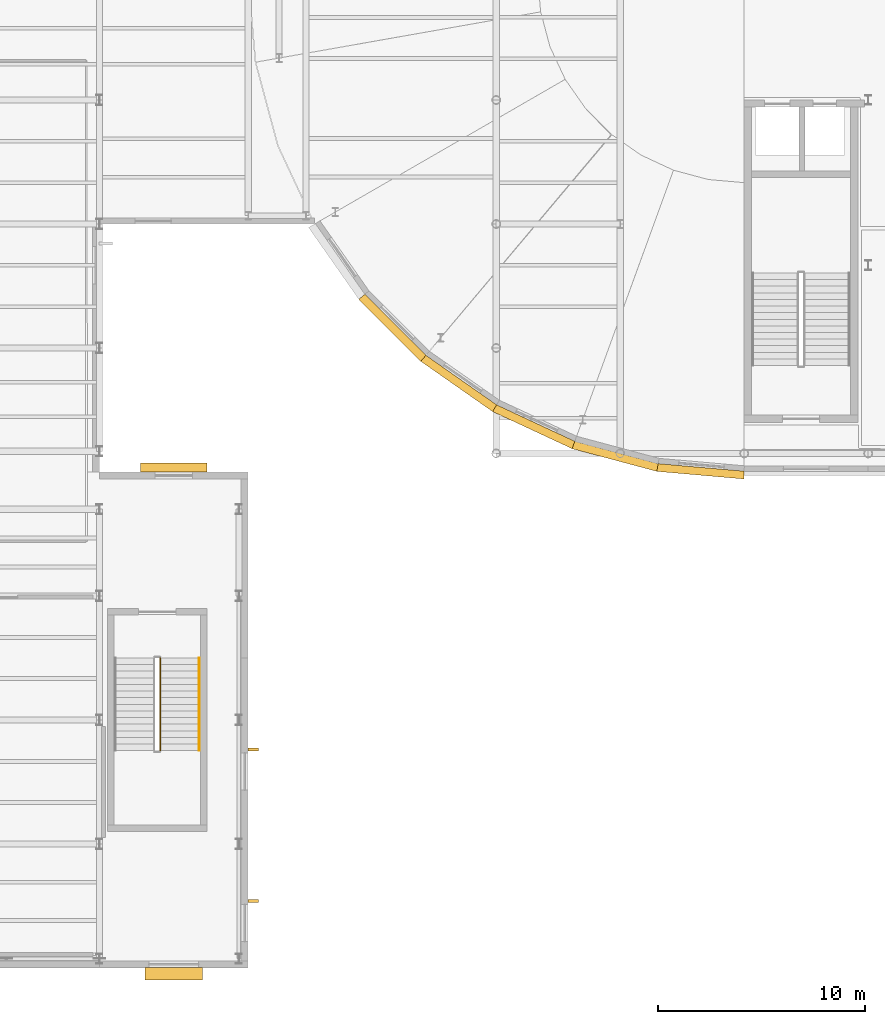
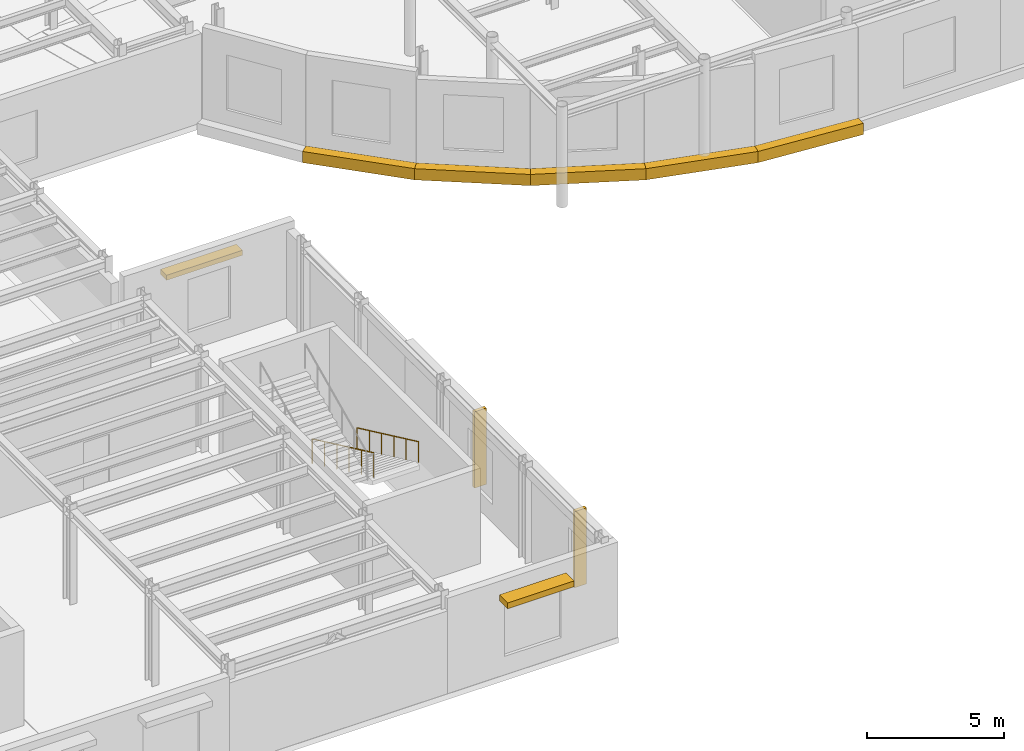
# One storey, part 74 of 91: 5 coverings, 4 shading devices, 2 railings, 1 element without a shape of its own.
"""IFC4 building model written with IfcOpenShell, lengths in metres."""

from ifc_helpers import new_model, si_unit, direction, frame, origin, origin_2d, place, context, subcontext, project, spatial, polyline, rectangle, circle, outline, extrude, material, layer, layer_set, type_object, element, aggregate, save


model = new_model("IFC4")

# Units and contexts
model_context = context("Model", 3, precision=1e-05, world=origin(), true_north=direction((0.0, 1.0)))
body_context = subcontext(model_context, "Body", "Model", "MODEL_VIEW")
ifc_project = project(units=[si_unit("LENGTHUNIT", "METRE"), si_unit("AREAUNIT", "SQUARE_METRE"), si_unit("VOLUMEUNIT", "CUBIC_METRE"), si_unit("PLANEANGLEUNIT", "RADIAN"), si_unit("MASSUNIT", "GRAM", prefix="KILO")], contexts=[model_context])

# Site, building, storey
site_placement = place(None, origin())
site = spatial("IfcSite", under=ifc_project, at=site_placement, CompositionType="ELEMENT")
building_placement = place(site_placement, origin())
building = spatial("IfcBuilding", under=site, at=building_placement, Name="Kolvaren Corner Interchange", CompositionType="ELEMENT")
storey_placement = place(building_placement, frame((0.0, 0.0, 6.0)))
storey = spatial("IfcBuildingStorey", under=building, at=storey_placement, Name="L02", CompositionType="ELEMENT", Elevation=6.0)

# Coverings
ifc_material_1 = material(Name="Glazed White Terracotta Fascia Cladding", Category="masonry")
ifc_layer = layer(ifc_material_1, 0.0400390625)
ifc_layer_set = layer_set([ifc_layer], Name="Glazed White Terracotta Fascia Cladding")
covering_type = type_object("IfcCoveringType", Name="COV-WHT-CLAD40", PredefinedType="CLADDING", material=ifc_layer_set)
covering_1_placement = place(storey_placement, frame((0.0, 0.0, -0.320068359375)))
element("IfcCovering", 1, at=covering_1_placement, inside=storey, type_object=covering_type, Name="Racetrack West L02 Sweeping White Edge Band 14", PredefinedType="CLADDING", context=body_context, shape_type="SweptSolid", body=[
    extrude(outline(polyline([(41.6455078125, 32.598876953125), (41.3544921875, 32.3544921875), (44.3544921875, 29.3544921875), (44.598876953125, 29.6455078125), (41.6455078125, 32.598876953125)])), origin(), (0.0, 0.0, 1.0), 0.5),
])
covering_2_placement = place(storey_placement, frame((0.0, 0.0, -0.320068359375)))
element("IfcCovering", 2, at=covering_2_placement, inside=storey, type_object=covering_type, Name="Racetrack West L02 Sweeping White Edge Band 15", PredefinedType="CLADDING", context=body_context, shape_type="SweptSolid", body=[
    extrude(outline(polyline([(44.598876953125, 29.6455078125), (44.3544921875, 29.3544921875), (47.830078125, 26.9208984375), (48.02001953125, 27.25), (44.598876953125, 29.6455078125)])), origin(), (0.0, 0.0, 1.0), 0.5),
])
covering_3_placement = place(storey_placement, frame((0.0, 0.0, -0.320068359375)))
element("IfcCovering", 3, at=covering_3_placement, inside=storey, type_object=covering_type, Name="Racetrack West L02 Sweeping White Edge Band 16", PredefinedType="CLADDING", context=body_context, shape_type="SweptSolid", body=[
    extrude(outline(polyline([(48.02001953125, 27.25), (47.830078125, 26.9208984375), (51.67529296875, 25.1279296875), (51.80517578125, 25.485107421875), (48.02001953125, 27.25)])), origin(), (0.0, 0.0, 1.0), 0.5),
])
covering_4_placement = place(storey_placement, frame((0.0, 0.0, -0.320068359375)))
element("IfcCovering", 4, at=covering_4_placement, inside=storey, type_object=covering_type, Name="Racetrack West L02 Sweeping White Edge Band 17", PredefinedType="CLADDING", context=body_context, shape_type="SweptSolid", body=[
    extrude(outline(polyline([(51.80517578125, 25.485107421875), (51.67529296875, 25.1279296875), (55.7734375, 24.02978515625), (55.83935546875, 24.404052734375), (51.80517578125, 25.485107421875)])), origin(), (0.0, 0.0, 1.0), 0.5),
])
covering_5_placement = place(storey_placement, frame((0.0, 0.0, -0.320068359375)))
element("IfcCovering", 5, at=covering_5_placement, inside=storey, type_object=covering_type, Name="Racetrack West L02 Sweeping White Edge Band 18", PredefinedType="CLADDING", context=body_context, shape_type="SweptSolid", body=[
    extrude(outline(polyline([(55.83935546875, 24.404052734375), (55.7734375, 24.02978515625), (60.0, 23.659912109375), (60.0, 24.0400390625), (55.83935546875, 24.404052734375)])), origin(), (0.0, 0.0, 1.0), 0.5),
])

# Stair, railings
ifc_material_2 = material(Name="Concrete C35/45", Category="concrete")
stair_type = type_object("IfcStairType", Name="ST-GL-2000", PredefinedType="HALF_TURN_STAIR", material=ifc_material_2)
stair_placement = place(storey_placement, origin())
stair = element("IfcStair", 6, at=stair_placement, inside=storey, type_object=stair_type, Name="Operations South Bar Protected Exit Stair L02 to L03 Stair", PredefinedType="HALF_TURN_STAIR")
ifc_material_3 = material(Name="Powder-Coated Steel Stairwell Guardrail", Category="steel")
railing_type_1 = type_object("IfcRailingType", Name="RLT-STAIR-GRD1120", PredefinedType="GUARDRAIL", material=ifc_material_3)
railing_1_placement = place(storey_placement, frame((31.75, 15.0, 0.14990234375)))
railing_1 = element("IfcRailing", 7, at=railing_1_placement, type_object=railing_type_1, Name="Operations South Bar Protected Exit Stair L02 Lower Flight Well Guardrail", PredefinedType="GUARDRAIL", context=body_context, shape_type="SweptSolid", body=[
    extrude(circle(Radius=0.02392578125, at=origin_2d()), frame((0.0, 0.0, 1.09619140625), z_axis=(0.0, -0.905450639465, 0.424451574969), x_axis=(1.0, 0.0, 0.0)), (0.0, 0.0, 1.0), 4.94775390625),
    extrude(circle(Radius=0.02001953125, at=origin_2d()), origin(), (0.0, 0.0, 1.0), 1.072021484375),
    extrude(circle(Radius=0.02001953125, at=origin_2d()), frame((0.0, -0.89599609375, 0.419921875)), (0.0, 0.0, 1.0), 1.072021484375),
    extrude(circle(Radius=0.02001953125, at=origin_2d()), frame((0.0, -1.7919921875, 0.840087890625)), (0.0, 0.0, 1.0), 1.072021484375),
    extrude(circle(Radius=0.02001953125, at=origin_2d()), frame((0.0, -2.68798828125, 1.260009765625)), (0.0, 0.0, 1.0), 1.072021484375),
    extrude(circle(Radius=0.02001953125, at=origin_2d()), frame((0.0, -3.583984375, 1.68017578125)), (0.0, 0.0, 1.0), 1.072021484375),
    extrude(circle(Radius=0.02001953125, at=origin_2d()), frame((0.0, -4.47998046875, 2.10009765625)), (0.0, 0.0, 1.0), 1.072021484375),
])
ifc_material_4 = material(Name="Brushed Stainless Steel Stair Handrail", Category="steel")
railing_type_2 = type_object("IfcRailingType", Name="RLT-STAIR-HR950", PredefinedType="HANDRAIL", material=ifc_material_4)
railing_2_placement = place(storey_placement, frame((33.639892578125, 15.0, 0.14990234375)))
railing_2 = element("IfcRailing", 8, at=railing_2_placement, type_object=railing_type_2, Name="Operations South Bar Protected Exit Stair L02 Lower Flight Wall Handrail", PredefinedType="HANDRAIL", context=body_context, shape_type="SweptSolid", body=[
    extrude(circle(Radius=0.02197265625, at=origin_2d()), frame((0.0, 0.0, 0.927978515625), z_axis=(0.0, -0.905450639465, 0.424451574969), x_axis=(1.0, 0.0, 0.0)), (0.0, 0.0, 1.0), 4.94775390625),
    extrude(circle(Radius=0.01806640625, at=origin_2d()), origin(), (0.0, 0.0, 1.0), 0.906005859375),
    extrude(circle(Radius=0.01806640625, at=origin_2d()), frame((0.0, -0.89599609375, 0.419921875)), (0.0, 0.0, 1.0), 0.906005859375),
    extrude(circle(Radius=0.01806640625, at=origin_2d()), frame((0.0, -1.7919921875, 0.840087890625)), (0.0, 0.0, 1.0), 0.906005859375),
    extrude(circle(Radius=0.01806640625, at=origin_2d()), frame((0.0, -2.68798828125, 1.260009765625)), (0.0, 0.0, 1.0), 0.906005859375),
    extrude(circle(Radius=0.01806640625, at=origin_2d()), frame((0.0, -3.583984375, 1.68017578125)), (0.0, 0.0, 1.0), 0.906005859375),
    extrude(circle(Radius=0.01806640625, at=origin_2d()), frame((0.0, -4.47998046875, 2.10009765625)), (0.0, 0.0, 1.0), 0.906005859375),
])
aggregate(stair, [railing_1, railing_2])

# Shading devices
ifc_material_5 = material(Name="Glazed Ochre Ceramic Baguette Solar Louvre")
shading_device_type_1 = type_object("IfcShadingDeviceType", Name="SHD-BAG-H450", PredefinedType="JALOUSIE", material=ifc_material_5)
shading_device_1_placement = place(storey_placement, frame((32.39990234375, 24.215087890625, 3.2001953125), z_axis=(0.0, 0.0, 1.0), x_axis=(-1.0, 0.0, 0.0)))
element("IfcShadingDevice", 9, at=shading_device_1_placement, inside=storey, type_object=shading_device_type_1, Name="L02 Ceramic Solar Shading 0035", PredefinedType="JALOUSIE", context=body_context, shape_type="SweptSolid", body=[
    extrude(rectangle(XDim=3.199951171875, YDim=0.449951171875, at=origin_2d()), origin(), (0.0, 0.0, 1.0), 0.219970703125),
])
ifc_material_6 = material(Name="Cream Ceramic Baguette Brise-Soleil")
shading_device_type_2 = type_object("IfcShadingDeviceType", Name="SHD-BAG-H600", PredefinedType="JALOUSIE", material=ifc_material_6)
shading_device_2_placement = place(storey_placement, frame((32.39990234375, -0.280029296875, 3.3798828125), z_axis=(0.0, 0.0, 1.0), x_axis=(1.0, 0.0, 0.0)))
element("IfcShadingDevice", 10, at=shading_device_2_placement, inside=storey, type_object=shading_device_type_2, Name="L02 Ceramic Solar Shading 0032", PredefinedType="JALOUSIE", context=body_context, shape_type="SweptSolid", body=[
    extrude(rectangle(XDim=2.800048828125, YDim=0.60009765625, at=origin_2d()), origin(), (0.0, 0.0, 1.0), 0.260009765625),
])
ifc_material_7 = material(Name="Vertical Terracotta Solar Fin", Category="masonry")
shading_device_type_3 = type_object("IfcShadingDeviceType", Name="SHD-FIN-V500", PredefinedType="USERDEFINED", material=ifc_material_7)
for number, where, z_axis, x_axis, name in (
    (11, (36.239990234375, 3.23681640625, 0.295166015625), (0.0, 0.0, 1.0), (0.0, 1.0, 0.0), "L02 Ceramic Solar Shading 0033"),
    (12, (36.239990234375, 10.564453125, 0.295166015625), (0.0, 0.0, 1.0), (0.0, 1.0, 0.0), "L02 Ceramic Solar Shading 0034"),
):
    element("IfcShadingDevice", number, at=place(storey_placement, frame(where, z_axis=z_axis, x_axis=x_axis)), inside=storey, type_object=shading_device_type_3, Name=name, ObjectType="SUNSHADE", PredefinedType="USERDEFINED", context=body_context, shape_type="SweptSolid", body=[
        extrude(rectangle(XDim=0.139892578125, YDim=0.5, at=origin_2d()), origin(), (0.0, 0.0, 1.0), 3.39990234375),
    ])

save(model, "model.ifc")
